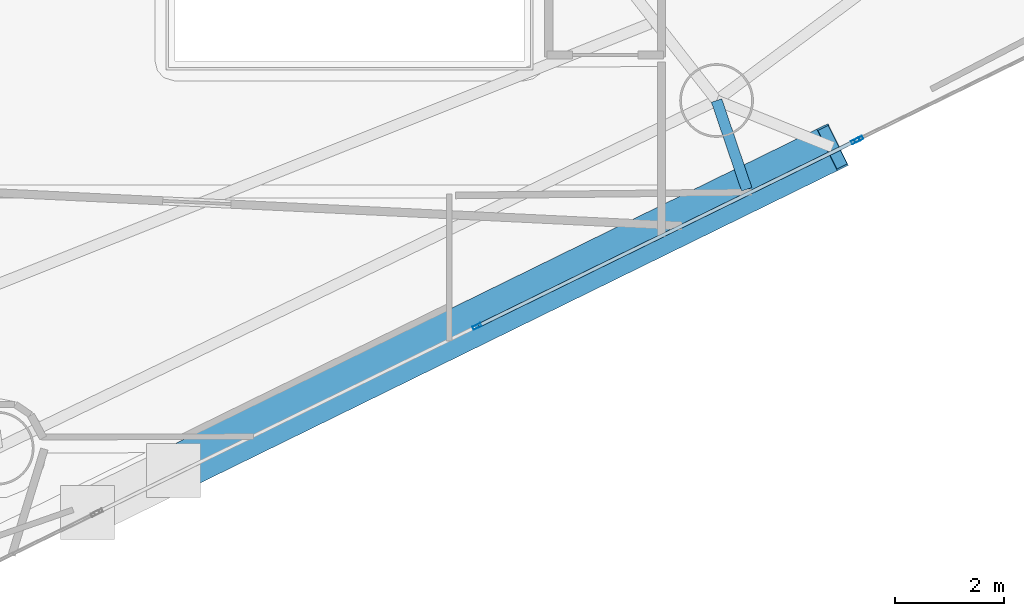
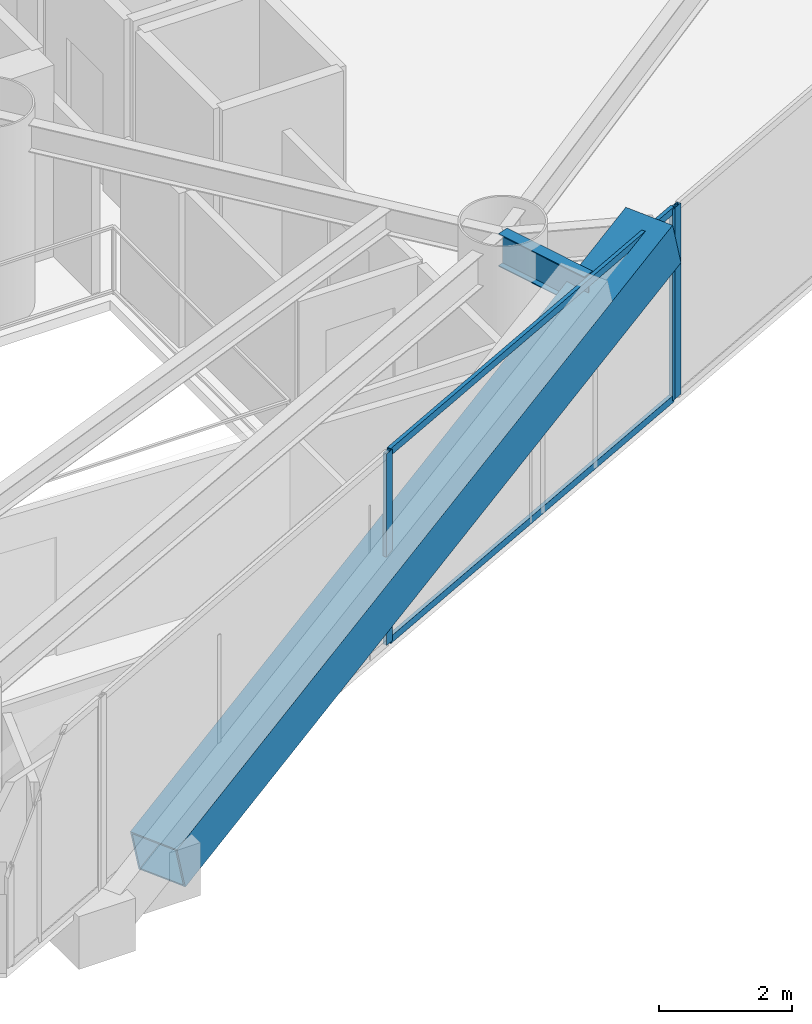
# One storey, part 6 of 22: 6 members, 1 beam, 2 elements without a shape of their own.
"""IFC4 building model written with IfcOpenShell, lengths in metres."""

from ifc_helpers import new_model, si_unit, direction, frame, origin, origin_2d, place, context, subcontext, project, spatial, hollow_rectangle, i_section, extrude, material, layer, layer_set, material_profile, profile_set, type_object, element, aggregate, save


model = new_model("IFC4")

# Units and contexts
model_context = context("Model", 3, precision=1e-05, world=origin(), true_north=direction((0.0, 1.0)))
body_context = subcontext(model_context, "Body", "Model", "MODEL_VIEW")
ifc_project = project(units=[si_unit("LENGTHUNIT", "METRE"), si_unit("AREAUNIT", "SQUARE_METRE"), si_unit("VOLUMEUNIT", "CUBIC_METRE"), si_unit("PLANEANGLEUNIT", "RADIAN"), si_unit("MASSUNIT", "GRAM", prefix="KILO")], contexts=[model_context])

# Site, building, storey
site_placement = place(None, origin())
site = spatial("IfcSite", under=ifc_project, at=site_placement, CompositionType="ELEMENT")
building_placement = place(site_placement, origin())
building = spatial("IfcBuilding", under=site, at=building_placement, Name="Qianvela Tower", CompositionType="ELEMENT")
storey_placement = place(building_placement, frame((0.0, 0.0, 155.0)))
storey = spatial("IfcBuildingStorey", under=building, at=storey_placement, Name="L39", CompositionType="ELEMENT", Elevation=155.0)

# Beam
ifc_material_1 = material(Name="Steel Q355B", Category="steel")
ifc_material_profile_1 = material_profile(ifc_material_1, i_section(OverallWidth=0.199951171875, OverallDepth=0.60009765625, WebThickness=0.010986328125, FlangeThickness=0.01708984375, at=origin_2d()), Name="HN600x200x11x17")
ifc_profile_set_1 = profile_set([ifc_material_profile_1], Name="Steel Q355B")
beam_type = type_object("IfcBeamType", Name="BM-HN600-GIRD", PredefinedType="BEAM", material=ifc_profile_set_1)
beam_placement = place(storey_placement, frame((43.52490234375, 17.279052734375, 3.218017578125), z_axis=(0.32163529782, -0.946863630728, 0.0), x_axis=(0.946863630728, 0.32163529782, 0.0)))
element("IfcBeam", 1, at=beam_placement, inside=storey, type_object=beam_type, Name="L39 Mega-Brace Column Tie Bracket F3-1", PredefinedType="BEAM", context=body_context, shape_type="SweptSolid", body=[
    extrude(i_section(OverallWidth=0.199951171875, OverallDepth=0.60009765625, WebThickness=0.010986328125, FlangeThickness=0.01708984375, at=origin_2d()), origin(), (0.0, 0.0, 1.0), 1.718505859375),
])

# Curtain wall, members
ifc_material_2 = material(Name="Anodised Architectural Aluminium and Insulated Spandrel Panel", Category="aluminium")
ifc_layer_1 = layer(ifc_material_2, 0.179931640625)
ifc_layer_set_1 = layer_set([ifc_layer_1], Name="Anodised Architectural Aluminium and Insulated Spandrel Panel")
curtain_wall_type_1 = type_object("IfcCurtainWallType", Name="CW-BRACEBAY", PredefinedType="USERDEFINED", material=ifc_layer_set_1)
curtain_wall_1_placement = place(storey_placement, origin())
curtain_wall_1 = element("IfcCurtainWall", 2, at=curtain_wall_1_placement, inside=storey, type_object=curtain_wall_type_1, Name="L39 CW-BRACEBAY Curtain Wall 06B", ObjectType="CURTAIN_WALL_SYSTEM", PredefinedType="USERDEFINED")
ifc_material_3 = material(Name="Anodised Architectural Aluminium 6063-T6", Category="aluminium")
ifc_material_profile_2 = material_profile(ifc_material_3, hollow_rectangle(XDim=0.06494140625, YDim=0.159912109375, WallThickness=0.0048828125, at=origin_2d()), Name="ALU-MULL-65x160")
ifc_profile_set_2 = profile_set([ifc_material_profile_2], Name="Anodised Architectural Aluminium 6063-T6")
member_type_1 = type_object("IfcMemberType", Name="CW-BRACEBAY-MULL", PredefinedType="MULLION", material=ifc_profile_set_2)
member_1_placement = place(storey_placement, frame((39.136474609375, 13.140869140625, 0.0), z_axis=(0.0, 0.0, 1.0), x_axis=(-0.440141010415, 0.897928666961, 0.0)))
member_1 = element("IfcMember", 3, at=member_1_placement, type_object=member_type_1, Name="CW-9 mullion 2", PredefinedType="MULLION", context=body_context, shape_type="SweptSolid", body=[
    extrude(hollow_rectangle(XDim=0.06494140625, YDim=0.159912109375, WallThickness=0.0048828125, at=origin_2d()), origin(), (0.0, 0.0, 1.0), 3.52001953125),
])
member_2_placement = place(storey_placement, frame((46.07080078125, 16.539794921875, 0.0), z_axis=(0.0, 0.0, 1.0), x_axis=(-0.440141010415, 0.897928666961, 0.0)))
member_2 = element("IfcMember", 4, at=member_2_placement, type_object=member_type_1, Name="CW-9 mullion 3", PredefinedType="MULLION", context=body_context, shape_type="SweptSolid", body=[
    extrude(hollow_rectangle(XDim=0.06494140625, YDim=0.159912109375, WallThickness=0.0048828125, at=origin_2d()), origin(), (0.0, 0.0, 1.0), 3.52001953125),
])
ifc_material_4 = material(Name="Anodised Architectural Aluminium 6063-T6", Category="aluminium")
ifc_material_profile_3 = material_profile(ifc_material_4, hollow_rectangle(XDim=0.06494140625, YDim=0.1298828125, WallThickness=0.00439453125, at=origin_2d()), Name="ALU-TRAN-65x130")
ifc_profile_set_3 = profile_set([ifc_material_profile_3], Name="Anodised Architectural Aluminium 6063-T6")
member_type_2 = type_object("IfcMemberType", Name="CW-BRACEBAY-TRAN", PredefinedType="USERDEFINED", material=ifc_profile_set_3)
member_3_placement = place(storey_placement, frame((39.16552734375, 13.155029296875, 0.032470703125), z_axis=(0.89793184071, 0.440134535613, 0.0), x_axis=(-0.440134535613, 0.89793184071, 0.0)))
member_3 = element("IfcMember", 5, at=member_3_placement, type_object=member_type_2, Name="CW-9 transom 2.1", ObjectType="TRANSOM", PredefinedType="USERDEFINED", context=body_context, shape_type="SweptSolid", body=[
    extrude(hollow_rectangle(XDim=0.06494140625, YDim=0.1298828125, WallThickness=0.00439453125, at=origin_2d()), origin(), (0.0, 0.0, 1.0), 7.657470703125),
])
member_4_placement = place(storey_placement, frame((39.16552734375, 13.155029296875, 3.487548828125), z_axis=(0.89793184071, 0.440134535613, 0.0), x_axis=(-0.440134535613, 0.89793184071, 0.0)))
member_4 = element("IfcMember", 6, at=member_4_placement, type_object=member_type_2, Name="CW-9 transom 2.2", ObjectType="TRANSOM", PredefinedType="USERDEFINED", context=body_context, shape_type="SweptSolid", body=[
    extrude(hollow_rectangle(XDim=0.06494140625, YDim=0.1298828125, WallThickness=0.00439453125, at=origin_2d()), origin(), (0.0, 0.0, 1.0), 7.657470703125),
])
aggregate(curtain_wall_1, [member_1, member_2, member_3, member_4])

# Curtain wall, member
ifc_material_5 = material(Name="Anodised Architectural Aluminium and Low-E Glass", Category="aluminium")
ifc_layer_2 = layer(ifc_material_5, 0.169921875)
ifc_layer_set_2 = layer_set([ifc_layer_2], Name="Anodised Architectural Aluminium and Low-E Glass")
curtain_wall_type_2 = type_object("IfcCurtainWallType", Name="CW-COLIV-Z34", PredefinedType="USERDEFINED", material=ifc_layer_set_2)
curtain_wall_2_placement = place(storey_placement, origin())
curtain_wall_2 = element("IfcCurtainWall", 7, at=curtain_wall_2_placement, inside=storey, type_object=curtain_wall_type_2, Name="L39 CW-COLIV-Z34 Curtain Wall 06C", ObjectType="CURTAIN_WALL_SYSTEM", PredefinedType="USERDEFINED")
ifc_material_6 = material(Name="Anodised Architectural Aluminium 6063-T6", Category="aluminium")
ifc_material_profile_4 = material_profile(ifc_material_6, hollow_rectangle(XDim=0.06494140625, YDim=0.159912109375, WallThickness=0.0048828125, at=origin_2d()), Name="ALU-MULL-65x160")
ifc_profile_set_4 = profile_set([ifc_material_profile_4], Name="Anodised Architectural Aluminium 6063-T6")
member_type_3 = type_object("IfcMemberType", Name="CW-COLIV-Z34-MULL", PredefinedType="MULLION", material=ifc_profile_set_4)
member_5_placement = place(storey_placement, frame((46.129150390625, 16.568359375, 0.0), z_axis=(0.0, 0.0, 1.0), x_axis=(-0.440146392296, 0.897926028885, 0.0)))
member_5 = element("IfcMember", 8, at=member_5_placement, type_object=member_type_3, Name="CW-4 mullion 1", PredefinedType="MULLION", context=body_context, shape_type="SweptSolid", body=[
    extrude(hollow_rectangle(XDim=0.06494140625, YDim=0.159912109375, WallThickness=0.0048828125, at=origin_2d()), origin(), (0.0, 0.0, 1.0), 3.52001953125),
])
aggregate(curtain_wall_2, [member_5])

# Member
ifc_material_7 = material(Name="Steel Q420GJC", Category="steel")
ifc_material_profile_5 = material_profile(ifc_material_7, hollow_rectangle(XDim=0.85009765625, YDim=0.85009765625, WallThickness=0.031982421875, at=origin_2d()), Name="MBOX-850x850x32")
ifc_profile_set_5 = profile_set([ifc_material_profile_5], Name="Steel Q420GJC")
member_type_4 = type_object("IfcMemberType", Name="MBR-MBRACE-850", PredefinedType="BRACE", material=ifc_profile_set_5)
member_6_placement = place(storey_placement, frame((33.628662109375, 10.530029296875, -0.48193359375), z_axis=(0.865489070878, 0.42424694247, 0.266351647257), x_axis=(-0.44014683964, 0.897925809605, 0.0)))
element("IfcMember", 9, at=member_6_placement, inside=storey, type_object=member_type_4, Name="L39 Tier 6 Exterior Mega-Brace F3B", PredefinedType="BRACE", context=body_context, shape_type="SweptSolid", body=[
    extrude(hollow_rectangle(XDim=0.85009765625, YDim=0.85009765625, WallThickness=0.031982421875, at=origin_2d()), origin(), (0.0, 0.0, 1.0), 13.89111328125),
])

save(model, "model.ifc")
